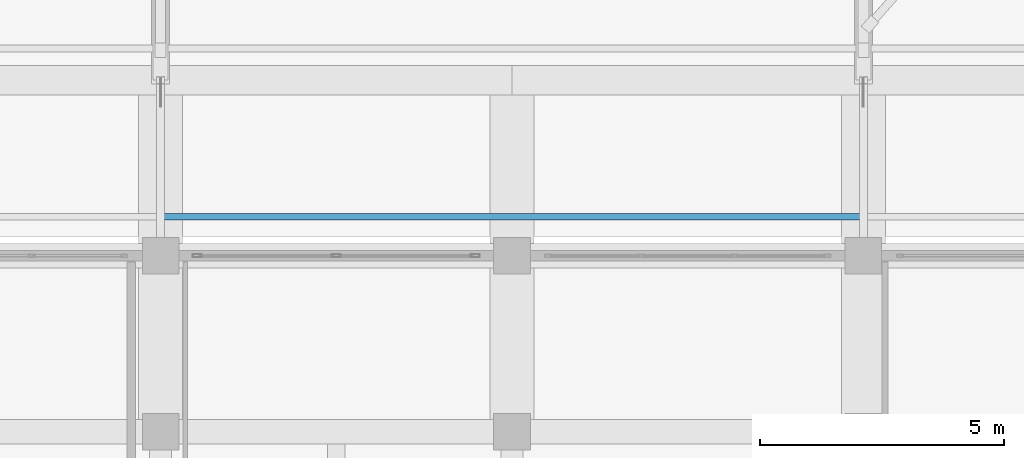
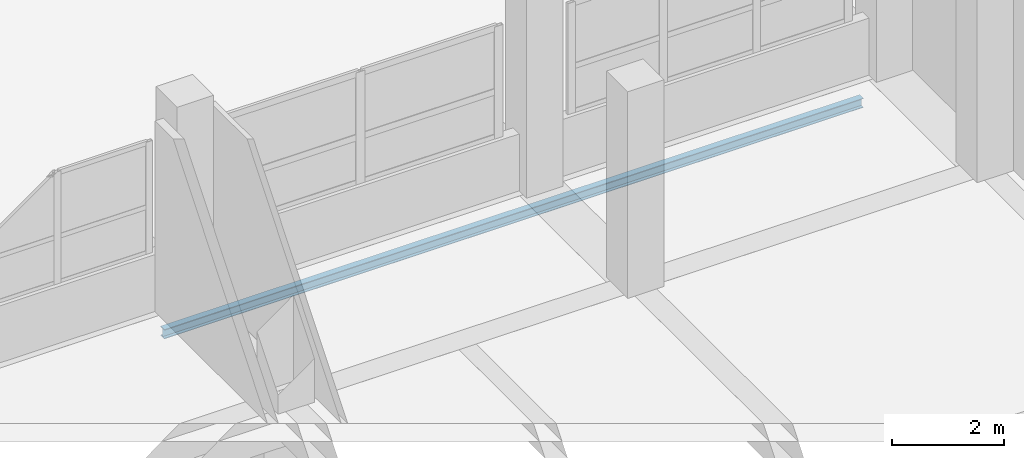
# One storey, part 93 of 141: 1 member.
"""IFC4 building model written with IfcOpenShell, lengths in metres."""

from ifc_helpers import new_model, si_unit, direction, frame, origin, origin_2d, place, context, subcontext, project, spatial, i_section, extrude, material, material_profile, profile_set, type_object, element, save


model = new_model("IFC4")

# Units and contexts
model_context = context("Model", 3, precision=1e-05, world=origin(), true_north=direction((0.0, 1.0)))
body_context = subcontext(model_context, "Body", "Model", "MODEL_VIEW")
ifc_project = project(units=[si_unit("LENGTHUNIT", "METRE"), si_unit("AREAUNIT", "SQUARE_METRE"), si_unit("VOLUMEUNIT", "CUBIC_METRE"), si_unit("PLANEANGLEUNIT", "RADIAN"), si_unit("MASSUNIT", "GRAM", prefix="KILO")], contexts=[model_context])

# Site, building, storey
site_placement = place(None, origin())
site = spatial("IfcSite", under=ifc_project, at=site_placement, CompositionType="ELEMENT")
building_placement = place(site_placement, origin())
building = spatial("IfcBuilding", under=site, at=building_placement, Name="Seraya Terrace Polytechnic", CompositionType="ELEMENT")
storey_placement = place(building_placement, frame((0.0, 0.0, 14.39990234375)))
storey = spatial("IfcBuildingStorey", under=building, at=storey_placement, Name="L03", CompositionType="ELEMENT", Elevation=14.39990234375)

# Member
ifc_material = material(Name="Steel S355J2", Category="steel")
ifc_material_profile = material_profile(ifc_material, i_section(OverallWidth=0.133056640625, OverallDepth=0.202880859375, WebThickness=0.00634765625, FlangeThickness=0.01171875, at=origin_2d()), Name="UKB 203x133x6.4x11.8")
ifc_profile_set = profile_set([ifc_material_profile], Name="Steel S355J2")
member_type = type_object("IfcMemberType", Name="PR-02", PredefinedType="PURLIN", material=ifc_profile_set)
member_placement = place(storey_placement, frame((86.39990234375, 76.39990234375, -1.247802734375), z_axis=(1.0, 0.0, 0.0), x_axis=(0.0, 1.0, 0.0)))
element("IfcMember", 1, at=member_placement, inside=storey, type_object=member_type, Name="Workshop roof purlin PR-02 bay 6.1", PredefinedType="PURLIN", context=body_context, shape_type="SweptSolid", body=[
    extrude(i_section(OverallWidth=0.133056640625, OverallDepth=0.202880859375, WebThickness=0.00634765625, FlangeThickness=0.01171875, at=origin_2d()), origin(), (0.0, 0.0, 1.0), 14.400146484375),
])

save(model, "model.ifc")
